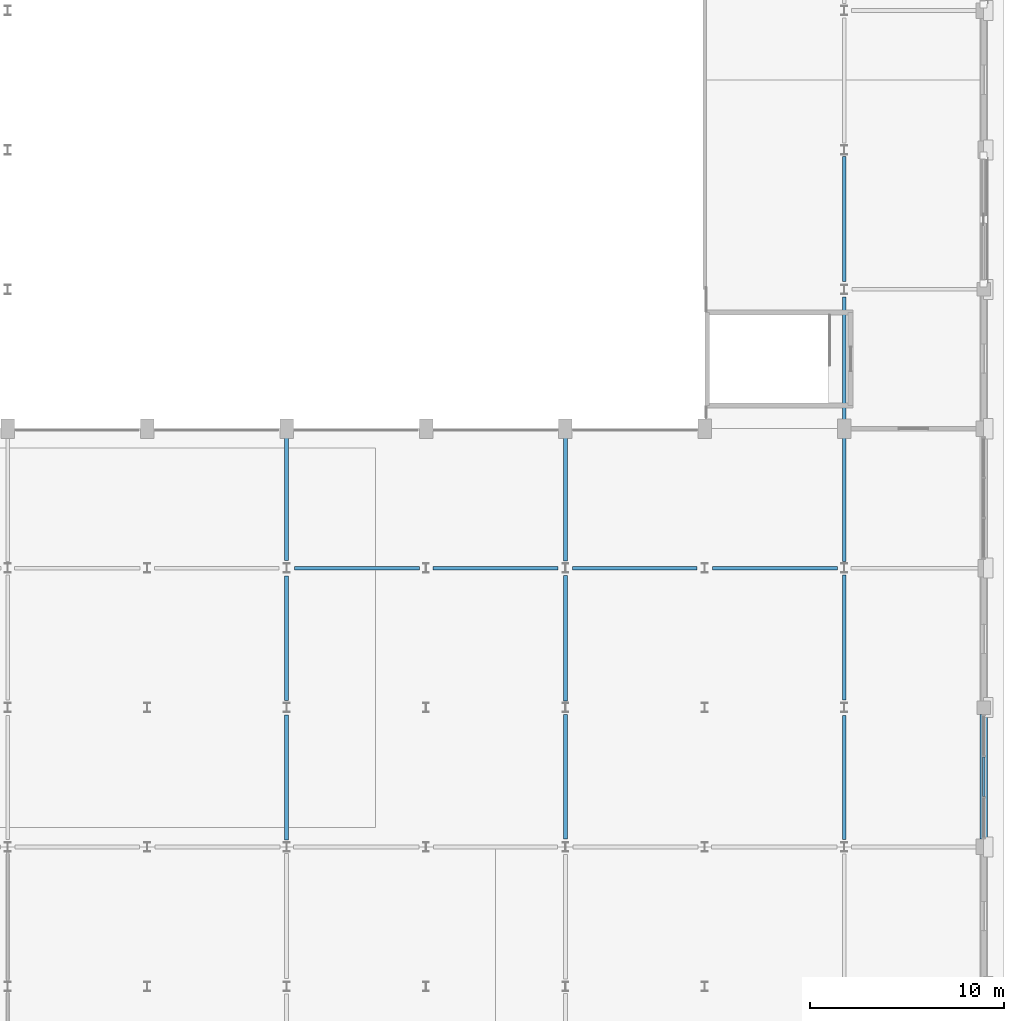
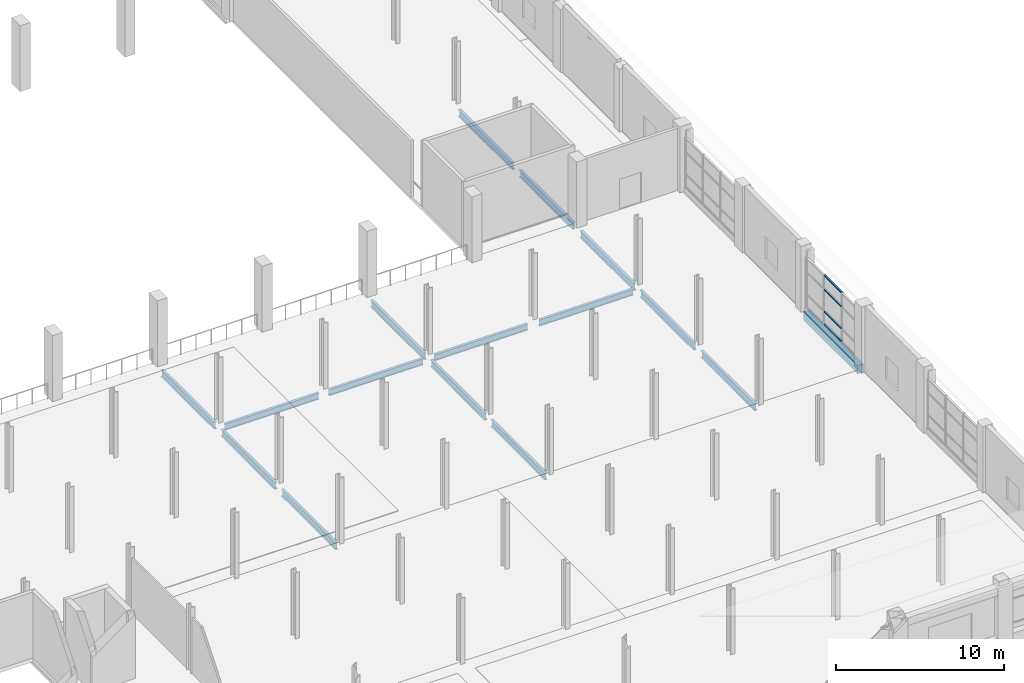
# One storey, part 42 of 82: 16 beams, 4 members, 1 element without a shape of its own.
"""IFC4 building model written with IfcOpenShell, lengths in metres."""

from ifc_helpers import new_model, si_unit, direction, frame, origin, origin_2d, place, context, subcontext, project, spatial, rectangle, i_section, extrude, material, material_profile, profile_set, type_object, element, aggregate, save


model = new_model("IFC4")

# Units and contexts
model_context = context("Model", 3, precision=1e-05, world=origin(), true_north=direction((0.0, 1.0)))
body_context = subcontext(model_context, "Body", "Model", "MODEL_VIEW")
ifc_project = project(units=[si_unit("LENGTHUNIT", "METRE"), si_unit("AREAUNIT", "SQUARE_METRE"), si_unit("VOLUMEUNIT", "CUBIC_METRE"), si_unit("PLANEANGLEUNIT", "RADIAN"), si_unit("MASSUNIT", "GRAM", prefix="KILO")], contexts=[model_context])

# Site, building, storey
site_placement = place(None, origin())
site = spatial("IfcSite", under=ifc_project, at=site_placement, CompositionType="ELEMENT")
building_placement = place(site_placement, origin())
building = spatial("IfcBuilding", under=site, at=building_placement, Name="Sardonyx Promenade Sports Hall", CompositionType="ELEMENT")
storey_placement = place(building_placement, frame((0.0, 0.0, 11.199951171875)))
storey = spatial("IfcBuildingStorey", under=building, at=storey_placement, Name="L02", CompositionType="ELEMENT", Elevation=11.199951171875)

# Beams
ifc_material_1 = material(Name="Steel S355JR", Category="steel")
ifc_material_profile_1 = material_profile(ifc_material_1, i_section(OverallWidth=0.18994140625, OverallDepth=0.453369140625, WebThickness=0.008544921875, FlangeThickness=0.0126953125, at=origin_2d()))
ifc_profile_set_1 = profile_set([ifc_material_profile_1], Name="Steel S355JR")
beam_type_1 = type_object("IfcBeamType", Name="Bm_Girder_UB457", PredefinedType="BEAM", material=ifc_profile_set_1)
beam_1_placement = place(storey_placement, frame((130.0, 43.199951171875, -0.5166015625), z_axis=(1.0, 0.0, 0.0), x_axis=(0.0, 1.0, 0.0)))
element("IfcBeam", 1, at=beam_1_placement, inside=storey, type_object=beam_type_1, Name="Beam SB01 L02 #531", PredefinedType="BEAM", context=body_context, shape_type="SweptSolid", body=[
    extrude(i_section(OverallWidth=0.18994140625, OverallDepth=0.453369140625, WebThickness=0.008544921875, FlangeThickness=0.0126953125, at=origin_2d()), origin(), (0.0, 0.0, 1.0), 6.449951171875),
])
beam_2_placement = place(storey_placement, frame((137.14990234375, 43.199951171875, -0.5166015625), z_axis=(1.0, 0.0, 0.0), x_axis=(0.0, 1.0, 0.0)))
element("IfcBeam", 2, at=beam_2_placement, inside=storey, type_object=beam_type_1, Name="Beam SB01 L02 #532", PredefinedType="BEAM", context=body_context, shape_type="SweptSolid", body=[
    extrude(i_section(OverallWidth=0.18994140625, OverallDepth=0.453369140625, WebThickness=0.008544921875, FlangeThickness=0.0126953125, at=origin_2d()), origin(), (0.0, 0.0, 1.0), 6.47509765625),
])
beam_3_placement = place(storey_placement, frame((144.375, 43.199951171875, -0.5166015625), z_axis=(1.0, 0.0, 0.0), x_axis=(0.0, 1.0, 0.0)))
element("IfcBeam", 3, at=beam_3_placement, inside=storey, type_object=beam_type_1, Name="Beam SB01 L02 #533", PredefinedType="BEAM", context=body_context, shape_type="SweptSolid", body=[
    extrude(i_section(OverallWidth=0.18994140625, OverallDepth=0.453369140625, WebThickness=0.008544921875, FlangeThickness=0.0126953125, at=origin_2d()), origin(), (0.0, 0.0, 1.0), 6.425048828125),
])
beam_4_placement = place(storey_placement, frame((151.60009765625, 43.199951171875, -0.5166015625), z_axis=(1.0, 0.0, 0.0), x_axis=(0.0, 1.0, 0.0)))
element("IfcBeam", 4, at=beam_4_placement, inside=storey, type_object=beam_type_1, Name="Beam SB01 L02 #534", PredefinedType="BEAM", context=body_context, shape_type="SweptSolid", body=[
    extrude(i_section(OverallWidth=0.18994140625, OverallDepth=0.453369140625, WebThickness=0.008544921875, FlangeThickness=0.0126953125, at=origin_2d()), origin(), (0.0, 0.0, 1.0), 6.449951171875),
])
ifc_material_2 = material(Name="Steel S355JR", Category="steel")
ifc_material_profile_2 = material_profile(ifc_material_2, i_section(OverallWidth=0.199951171875, OverallDepth=0.5, WebThickness=0.01025390625, FlangeThickness=0.01611328125, at=origin_2d()))
ifc_profile_set_2 = profile_set([ifc_material_profile_2], Name="Steel S355JR")
beam_type_2 = type_object("IfcBeamType", Name="Bm_Primary_IPE500", PredefinedType="BEAM", material=ifc_profile_set_2)
beam_5_placement = place(storey_placement, frame((129.60009765625, 29.14990234375, -0.5400390625), z_axis=(0.0, 1.0, 0.0), x_axis=(-1.0, 0.0, 0.0)))
element("IfcBeam", 5, at=beam_5_placement, inside=storey, type_object=beam_type_2, Name="Beam SB06 L02 #671", PredefinedType="BEAM", context=body_context, shape_type="SweptSolid", body=[
    extrude(i_section(OverallWidth=0.199951171875, OverallDepth=0.5, WebThickness=0.01025390625, FlangeThickness=0.01611328125, at=origin_2d()), origin(), (0.0, 0.0, 1.0), 6.47509765625),
])
beam_6_placement = place(storey_placement, frame((129.60009765625, 36.375, -0.5400390625), z_axis=(0.0, 1.0, 0.0), x_axis=(-1.0, 0.0, 0.0)))
element("IfcBeam", 6, at=beam_6_placement, inside=storey, type_object=beam_type_2, Name="Beam SB06 L02 #672", PredefinedType="BEAM", context=body_context, shape_type="SweptSolid", body=[
    extrude(i_section(OverallWidth=0.199951171875, OverallDepth=0.5, WebThickness=0.01025390625, FlangeThickness=0.01611328125, at=origin_2d()), origin(), (0.0, 0.0, 1.0), 6.425048828125),
])
beam_7_placement = place(storey_placement, frame((129.60009765625, 43.60009765625, -0.5400390625), z_axis=(0.0, 1.0, 0.0), x_axis=(-1.0, 0.0, 0.0)))
element("IfcBeam", 7, at=beam_7_placement, inside=storey, type_object=beam_type_2, Name="Beam SB06 L02 #673", PredefinedType="BEAM", context=body_context, shape_type="SweptSolid", body=[
    extrude(i_section(OverallWidth=0.199951171875, OverallDepth=0.5, WebThickness=0.01025390625, FlangeThickness=0.01611328125, at=origin_2d()), origin(), (0.0, 0.0, 1.0), 6.349853515625),
])
beam_8_placement = place(storey_placement, frame((144.0, 29.199951171875, -0.5400390625), z_axis=(0.0, 1.0, 0.0), x_axis=(-1.0, 0.0, 0.0)))
element("IfcBeam", 8, at=beam_8_placement, inside=storey, type_object=beam_type_2, Name="Beam SB06 L02 #678", PredefinedType="BEAM", context=body_context, shape_type="SweptSolid", body=[
    extrude(i_section(OverallWidth=0.199951171875, OverallDepth=0.5, WebThickness=0.01025390625, FlangeThickness=0.01611328125, at=origin_2d()), origin(), (0.0, 0.0, 1.0), 6.449951171875),
])
beam_9_placement = place(storey_placement, frame((144.0, 36.35009765625, -0.5400390625), z_axis=(0.0, 1.0, 0.0), x_axis=(-1.0, 0.0, 0.0)))
element("IfcBeam", 9, at=beam_9_placement, inside=storey, type_object=beam_type_2, Name="Beam SB06 L02 #679", PredefinedType="BEAM", context=body_context, shape_type="SweptSolid", body=[
    extrude(i_section(OverallWidth=0.199951171875, OverallDepth=0.5, WebThickness=0.01025390625, FlangeThickness=0.01611328125, at=origin_2d()), origin(), (0.0, 0.0, 1.0), 6.474853515625),
])
beam_10_placement = place(storey_placement, frame((144.0, 43.574951171875, -0.5400390625), z_axis=(0.0, 1.0, 0.0), x_axis=(-1.0, 0.0, 0.0)))
element("IfcBeam", 10, at=beam_10_placement, inside=storey, type_object=beam_type_2, Name="Beam SB06 L02 #680", PredefinedType="BEAM", context=body_context, shape_type="SweptSolid", body=[
    extrude(i_section(OverallWidth=0.199951171875, OverallDepth=0.5, WebThickness=0.01025390625, FlangeThickness=0.01611328125, at=origin_2d()), origin(), (0.0, 0.0, 1.0), 6.375),
])
beam_11_placement = place(storey_placement, frame((158.39990234375, 29.175048828125, -0.5400390625), z_axis=(0.0, 1.0, 0.0), x_axis=(-1.0, 0.0, 0.0)))
element("IfcBeam", 11, at=beam_11_placement, inside=storey, type_object=beam_type_2, Name="Beam SB06 L02 #686", PredefinedType="BEAM", context=body_context, shape_type="SweptSolid", body=[
    extrude(i_section(OverallWidth=0.199951171875, OverallDepth=0.5, WebThickness=0.01025390625, FlangeThickness=0.01611328125, at=origin_2d()), origin(), (0.0, 0.0, 1.0), 6.425048828125),
])
beam_12_placement = place(storey_placement, frame((158.39990234375, 36.39990234375, -0.5400390625), z_axis=(0.0, 1.0, 0.0), x_axis=(-1.0, 0.0, 0.0)))
element("IfcBeam", 12, at=beam_12_placement, inside=storey, type_object=beam_type_2, Name="Beam SB06 L02 #687", PredefinedType="BEAM", context=body_context, shape_type="SweptSolid", body=[
    extrude(i_section(OverallWidth=0.199951171875, OverallDepth=0.5, WebThickness=0.01025390625, FlangeThickness=0.01611328125, at=origin_2d()), origin(), (0.0, 0.0, 1.0), 6.4501953125),
])
beam_13_placement = place(storey_placement, frame((158.39990234375, 43.550048828125, -0.5400390625), z_axis=(0.0, 1.0, 0.0), x_axis=(-1.0, 0.0, 0.0)))
element("IfcBeam", 13, at=beam_13_placement, inside=storey, type_object=beam_type_2, Name="Beam SB06 L02 #688", PredefinedType="BEAM", context=body_context, shape_type="SweptSolid", body=[
    extrude(i_section(OverallWidth=0.199951171875, OverallDepth=0.5, WebThickness=0.01025390625, FlangeThickness=0.01611328125, at=origin_2d()), origin(), (0.0, 0.0, 1.0), 6.39990234375),
])
beam_14_placement = place(storey_placement, frame((158.39990234375, 50.85009765625, -0.52001953125), z_axis=(0.0, 1.0, 0.0), x_axis=(-1.0, 0.0, 0.0)))
element("IfcBeam", 14, at=beam_14_placement, inside=storey, type_object=beam_type_2, Name="Beam SB06 L02 #689", PredefinedType="BEAM", context=body_context, shape_type="SweptSolid", body=[
    extrude(i_section(OverallWidth=0.199951171875, OverallDepth=0.5, WebThickness=0.01025390625, FlangeThickness=0.01611328125, at=origin_2d()), origin(), (0.0, 0.0, 1.0), 6.349853515625),
])
beam_15_placement = place(storey_placement, frame((158.39990234375, 58.0, -0.52001953125), z_axis=(0.0, 1.0, 0.0), x_axis=(-1.0, 0.0, 0.0)))
element("IfcBeam", 15, at=beam_15_placement, inside=storey, type_object=beam_type_2, Name="Beam SB06 L02 #690", PredefinedType="BEAM", context=body_context, shape_type="SweptSolid", body=[
    extrude(i_section(OverallWidth=0.199951171875, OverallDepth=0.5, WebThickness=0.01025390625, FlangeThickness=0.01611328125, at=origin_2d()), origin(), (0.0, 0.0, 1.0), 6.449951171875),
])
ifc_material_3 = material(Name="Concrete C40/50", Category="concrete")
ifc_material_profile_3 = material_profile(ifc_material_3, rectangle(XDim=0.39990234375, YDim=0.60009765625, at=origin_2d()))
ifc_profile_set_3 = profile_set([ifc_material_profile_3], Name="Concrete C40/50")
beam_type_3 = type_object("IfcBeamType", Name="Bm_Spandrel_RC600", PredefinedType="SPANDREL", material=ifc_profile_set_3)
beam_16_placement = place(storey_placement, frame((165.60009765625, 29.199951171875, -0.300048828125), z_axis=(0.0, 1.0, 0.0), x_axis=(-1.0, 0.0, 0.0)))
element("IfcBeam", 16, at=beam_16_placement, inside=storey, type_object=beam_type_3, Name="Beam SPB1 L02 #698", PredefinedType="SPANDREL", context=body_context, shape_type="SweptSolid", body=[
    extrude(rectangle(XDim=0.39990234375, YDim=0.60009765625, at=origin_2d()), origin(), (0.0, 0.0, 1.0), 6.449951171875),
])

# Curtain wall, members
ifc_material_4 = material(Name="Aluminium 6063-T6", Category="aluminium")
curtain_wall_type = type_object("IfcCurtainWallType", Name="CW_Prac_East_L02", PredefinedType="USERDEFINED", material=ifc_material_4)
curtain_wall_placement = place(storey_placement, origin())
curtain_wall = element("IfcCurtainWall", 17, at=curtain_wall_placement, inside=storey, type_object=curtain_wall_type, Name="Curtain wall CW03 cw:L02:057", ObjectType="CURTAIN WALL", PredefinedType="USERDEFINED")
ifc_material_5 = material(Name="Aluminium 6063-T6", Category="aluminium")
ifc_material_profile_4 = material_profile(ifc_material_5, rectangle(XDim=0.06494140625, YDim=0.139892578125, at=origin_2d()))
ifc_profile_set_4 = profile_set([ifc_material_profile_4], Name="Aluminium 6063-T6")
member_type = type_object("IfcMemberType", Name="CW_Tran_140", PredefinedType="USERDEFINED", material=ifc_profile_set_4)
member_1_placement = place(storey_placement, frame((165.60009765625, 33.449951171875, 0.382568359375), z_axis=(0.0, -1.0, 0.0), x_axis=(0.0, 0.0, 1.0)))
member_1 = element("IfcMember", 18, at=member_1_placement, type_object=member_type, Name="Transom CT02 cw:L02:057 #5", ObjectType="TRANSOM", PredefinedType="USERDEFINED", context=body_context, shape_type="SweptSolid", body=[
    extrude(rectangle(XDim=0.06494140625, YDim=0.139892578125, at=origin_2d()), origin(), (0.0, 0.0, 1.0), 2.050048828125),
])
member_2_placement = place(storey_placement, frame((165.60009765625, 33.449951171875, 1.300048828125), z_axis=(0.0, -1.0, 0.0), x_axis=(0.0, 0.0, 1.0)))
member_2 = element("IfcMember", 19, at=member_2_placement, type_object=member_type, Name="Transom CT02 cw:L02:057 #6", ObjectType="TRANSOM", PredefinedType="USERDEFINED", context=body_context, shape_type="SweptSolid", body=[
    extrude(rectangle(XDim=0.06494140625, YDim=0.139892578125, at=origin_2d()), origin(), (0.0, 0.0, 1.0), 2.050048828125),
])
member_3_placement = place(storey_placement, frame((165.60009765625, 33.449951171875, 2.900146484375), z_axis=(0.0, -1.0, 0.0), x_axis=(0.0, 0.0, 1.0)))
member_3 = element("IfcMember", 20, at=member_3_placement, type_object=member_type, Name="Transom CT02 cw:L02:057 #7", ObjectType="TRANSOM", PredefinedType="USERDEFINED", context=body_context, shape_type="SweptSolid", body=[
    extrude(rectangle(XDim=0.06494140625, YDim=0.139892578125, at=origin_2d()), origin(), (0.0, 0.0, 1.0), 2.050048828125),
])
member_4_placement = place(storey_placement, frame((165.60009765625, 33.449951171875, 3.91748046875), z_axis=(0.0, -1.0, 0.0), x_axis=(0.0, 0.0, 1.0)))
member_4 = element("IfcMember", 21, at=member_4_placement, type_object=member_type, Name="Transom CT02 cw:L02:057 #8", ObjectType="TRANSOM", PredefinedType="USERDEFINED", context=body_context, shape_type="SweptSolid", body=[
    extrude(rectangle(XDim=0.06494140625, YDim=0.139892578125, at=origin_2d()), origin(), (0.0, 0.0, 1.0), 2.050048828125),
])
aggregate(curtain_wall, [member_1, member_2, member_3, member_4])

save(model, "model.ifc")
